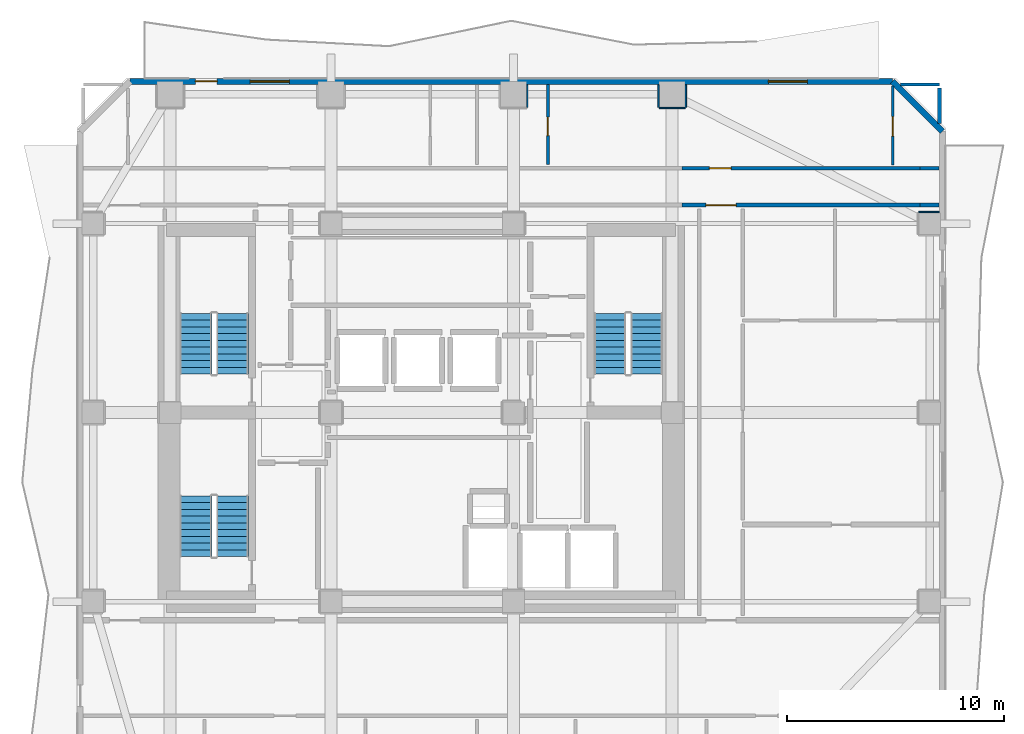
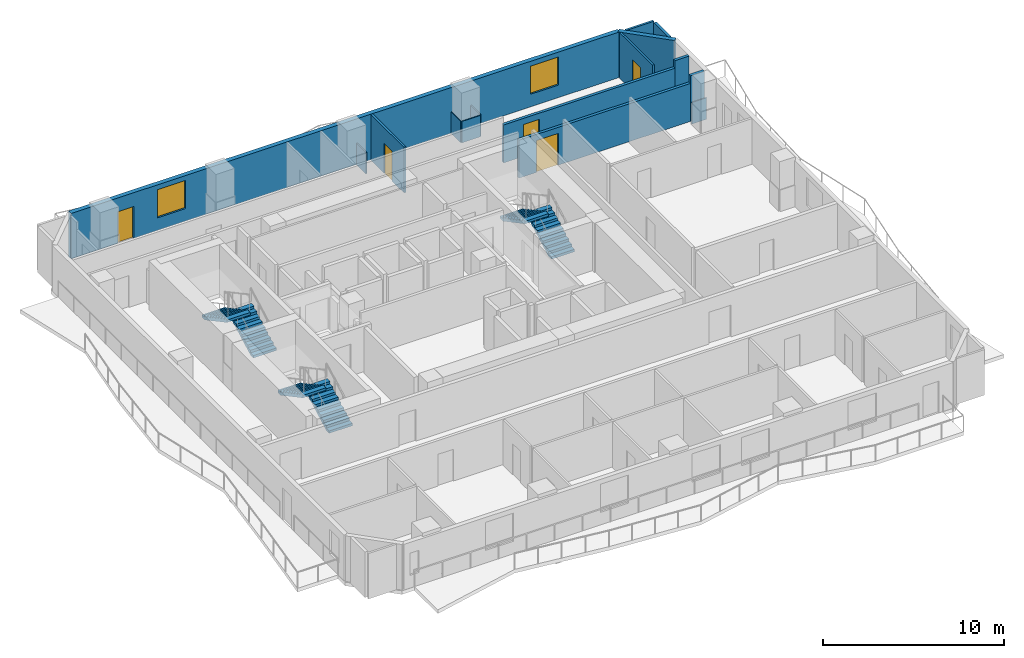
# One storey, part 6 of 9: 15 walls, 6 stair flights, 5 doors, 2 windows, 7 openings, 3 elements without a shape of their own.
"""IFC4 building model written with IfcOpenShell, lengths in metres."""

from ifc_helpers import new_model, si_unit, direction, frame, frame_2d, origin, place, context, subcontext, project, spatial, polyline, rectangle, outline, extrude, material, layer, layer_set, type_object, element, fill, aggregate, save


model = new_model("IFC4")

# Units and contexts
model_context = context("Model", 3, precision=1e-05, world=origin(), true_north=direction((0.0, 1.0)))
body_context = subcontext(model_context, "Body", "Model", "MODEL_VIEW")
ifc_project = project(units=[si_unit("LENGTHUNIT", "METRE"), si_unit("AREAUNIT", "SQUARE_METRE"), si_unit("VOLUMEUNIT", "CUBIC_METRE"), si_unit("PLANEANGLEUNIT", "RADIAN"), si_unit("MASSUNIT", "GRAM", prefix="KILO")], contexts=[model_context])

# Site, building, storey
site_placement = place(None, origin())
site = spatial("IfcSite", under=ifc_project, at=site_placement, CompositionType="ELEMENT")
building_placement = place(site_placement, origin())
building = spatial("IfcBuilding", under=site, at=building_placement, Name="Solanera Arch Residences", CompositionType="ELEMENT")
storey_placement = place(building_placement, frame((0.0, 0.0, 129.320068359375)))
storey = spatial("IfcBuildingStorey", under=building, at=storey_placement, Name="L37", CompositionType="ELEMENT", Elevation=129.320068359375)

# Walls
ifc_material_1 = material(Name="Fire-Rated Gypsum Stud Partition", Category="gypsum")
ifc_layer_1 = layer(ifc_material_1, 0.06005859375)
ifc_layer_set_1 = layer_set([ifc_layer_1], Name="Fire-Rated Gypsum Stud Partition")
wall_type_1 = type_object("IfcWallType", Name="Column Acoustic Furring Wall 60", PredefinedType="PARTITIONING", material=ifc_layer_set_1)
wall_1_placement = place(storey_placement, frame((29.83203125, 44.75, 0.0), z_axis=(0.0, 0.0, 1.0), x_axis=(0.0, 1.0, 0.0)))
element("IfcWall", 1, at=wall_1_placement, inside=storey, type_object=wall_type_1, Name="L37 Column Furring 14E", PredefinedType="PARTITIONING", context=body_context, shape_type="SweptSolid", body=[
    extrude(rectangle(XDim=1.0400390625, YDim=0.06005859375, at=frame_2d((0.52001953125, 0.0))), origin(), (0.0, 0.0, 1.0), 1.449951171875),
])
wall_2_placement = place(storey_placement, frame((35.89990234375, 44.718017578125, 0.0), z_axis=(0.0, 0.0, 1.0), x_axis=(1.0, 0.0, 0.0)))
element("IfcWall", 2, at=wall_2_placement, inside=storey, type_object=wall_type_1, Name="L37 Column Furring 16S", PredefinedType="PARTITIONING", context=body_context, shape_type="SweptSolid", body=[
    extrude(rectangle(XDim=1.2001953125, YDim=0.06005859375, at=frame_2d((0.60009765625, 0.0))), origin(), (0.0, 0.0, 1.0), 1.449951171875),
])
for number, where, z_axis, x_axis, name in (
    (3, (35.867919921875, 44.75, 0.0), (0.0, 0.0, 1.0), (0.0, 1.0, 0.0), "L37 Column Furring 16W"),
    (4, (37.132080078125, 44.75, 0.0), (0.0, 0.0, 1.0), (0.0, 1.0, 0.0), "L37 Column Furring 16E"),
):
    element("IfcWall", number, at=place(storey_placement, frame(where, z_axis=z_axis, x_axis=x_axis)), inside=storey, type_object=wall_type_1, Name=name, PredefinedType="PARTITIONING", context=body_context, shape_type="SweptSolid", body=[
        extrude(rectangle(XDim=1.0400390625, YDim=0.06005859375, at=frame_2d((0.52001953125, 0.0))), origin(), (0.0, 0.0, 1.0), 1.449951171875),
    ])
wall_3_placement = place(storey_placement, frame((47.85009765625, 39.931884765625, 0.0), z_axis=(0.0, 0.0, 1.0), x_axis=(1.0, 0.0, 0.0)))
element("IfcWall", 5, at=wall_3_placement, inside=storey, type_object=wall_type_1, Name="L37 Column Furring 22N", PredefinedType="PARTITIONING", context=body_context, shape_type="SweptSolid", body=[
    extrude(rectangle(XDim=0.93994140625, YDim=0.06005859375, at=frame_2d((0.469970703125, 0.0))), origin(), (0.0, 0.0, 1.0), 1.449951171875),
])

# Wall, opening, door
ifc_material_2 = material(Name="Autoclaved Aerated Concrete Blockwork", Category="masonry")
ifc_layer_2 = layer(ifc_material_2, 0.179931640625)
ifc_layer_set_2 = layer_set([ifc_layer_2], Name="Autoclaved Aerated Concrete Blockwork")
wall_type_2 = type_object("IfcWallType", Name="Corridor Fire Partition 180", PredefinedType="PARTITIONING", material=ifc_layer_set_2)
wall_4_placement = place(storey_placement, frame((36.943115234375, 40.25, 0.0), z_axis=(0.0, 0.0, 1.0), x_axis=(1.0, 0.0, 0.0)))
wall_4 = element("IfcWall", 6, at=wall_4_placement, inside=storey, type_object=wall_type_2, Name="L37 Interior Partition H12 2", PredefinedType="PARTITIONING", context=body_context, shape_type="SweptSolid", body=[
    extrude(rectangle(XDim=10.9638671875, YDim=0.179931640625, at=frame_2d((5.48193359375, 0.0))), origin(), (0.0, 0.0, 1.0), 2.56494140625),
])
opening_1_placement = place(wall_4_placement, frame((1.10693359375, 0.0, 0.0)))
opening_1 = element("IfcOpeningElement", 7, at=opening_1_placement, cuts=wall_4, Name="Opening DF-03", PredefinedType="OPENING", context=body_context, shape_type="SweptSolid", body=[
    extrude(rectangle(XDim=1.39990234375, YDim=2.14990234375, at=frame_2d((0.699951171875, 1.074951171875))), frame((0.0, 0.10009765625, 0.0), z_axis=(0.0, -1.0, 0.0), x_axis=(1.0, 0.0, 0.0)), (0.0, 0.0, 1.0), 0.1999),
])
ifc_material_3 = material(Name="Fire-Rated Architectural Hardwood", Category="wood")
door_type_1 = type_object("IfcDoorType", Name="Corridor Smoke Door DF-03", OperationType="NOTDEFINED", PredefinedType="DOOR", material=ifc_material_3)
door_1_placement = place(opening_1_placement, origin())
door_1 = element("IfcDoor", 8, at=door_1_placement, inside=storey, type_object=door_type_1, Name="DR-L37-IN-013", OperationType="SINGLE_SWING_RIGHT", OverallHeight=2.14990234375, OverallWidth=1.39990234375, PredefinedType="DOOR", context=body_context, shape_type="SweptSolid", body=[
    extrude(rectangle(XDim=1.39990234375, YDim=2.14990234375, at=frame_2d((0.699951171875, 1.074951171875))), frame((0.0, 0.02490234375, 0.0), z_axis=(0.0, -1.0, 0.0), x_axis=(1.0, 0.0, 0.0)), (0.0, 0.0, 1.0), 0.050048828125),
])
fill(opening_1, door_1)

# Wall
wall_5_placement = place(storey_placement, frame((47.906982421875, 40.25, 0.0), z_axis=(0.0, 0.0, 1.0), x_axis=(1.0, 0.0, 0.0)))
element("IfcWall", 9, at=wall_5_placement, inside=storey, type_object=wall_type_2, Name="L37 Interior Partition H12 3", PredefinedType="PARTITIONING", context=body_context, shape_type="SweptSolid", body=[
    extrude(rectangle(XDim=0.885986328125, YDim=0.179931640625, at=frame_2d((0.44287109375, 0.0))), origin(), (0.0, 0.0, 1.0), 3.079833984375),
])

# Wall, opening, door
wall_6_placement = place(storey_placement, frame((36.943115234375, 41.949951171875, 0.0), z_axis=(0.0, 0.0, 1.0), x_axis=(1.0, 0.0, 0.0)))
wall_6 = element("IfcWall", 10, at=wall_6_placement, inside=storey, type_object=wall_type_2, Name="L37 Interior Partition H13 2", PredefinedType="PARTITIONING", context=body_context, shape_type="SweptSolid", body=[
    extrude(rectangle(XDim=10.9638671875, YDim=0.179931640625, at=frame_2d((5.48193359375, 0.0))), origin(), (0.0, 0.0, 1.0), 2.56494140625),
])
opening_2_placement = place(wall_6_placement, frame((1.27197265625, 0.0, 0.0)))
opening_2 = element("IfcOpeningElement", 11, at=opening_2_placement, cuts=wall_6, Name="Opening DI-01", PredefinedType="OPENING", context=body_context, shape_type="SweptSolid", body=[
    extrude(rectangle(XDim=1.0, YDim=2.14990234375, at=frame_2d((0.5, 1.074951171875))), frame((0.0, 0.10009765625, 0.0), z_axis=(0.0, -1.0, 0.0), x_axis=(1.0, 0.0, 0.0)), (0.0, 0.0, 1.0), 0.1999),
])
ifc_material_4 = material(Name="Fire-Rated Architectural Hardwood", Category="wood")
door_type_2 = type_object("IfcDoorType", Name="Unit Entrance Fire Door DI-01", OperationType="NOTDEFINED", PredefinedType="DOOR", material=ifc_material_4)
door_2_placement = place(opening_2_placement, origin())
door_2 = element("IfcDoor", 12, at=door_2_placement, inside=storey, type_object=door_type_2, Name="DR-L37-IN-032", OperationType="SINGLE_SWING_LEFT", OverallHeight=2.14990234375, OverallWidth=1.0, PredefinedType="DOOR", context=body_context, shape_type="SweptSolid", body=[
    extrude(rectangle(XDim=1.0, YDim=2.14990234375, at=frame_2d((0.5, 1.074951171875))), frame((0.0, 0.02490234375, 0.0), z_axis=(0.0, -1.0, 0.0), x_axis=(1.0, 0.0, 0.0)), (0.0, 0.0, 1.0), 0.050048828125),
])
fill(opening_2, door_2)

# Walls
wall_7_placement = place(storey_placement, frame((47.906982421875, 41.949951171875, 0.0), z_axis=(0.0, 0.0, 1.0), x_axis=(1.0, 0.0, 0.0)))
element("IfcWall", 13, at=wall_7_placement, inside=storey, type_object=wall_type_2, Name="L37 Interior Partition H13 3", PredefinedType="PARTITIONING", context=body_context, shape_type="SweptSolid", body=[
    extrude(rectangle(XDim=0.885986328125, YDim=0.179931640625, at=frame_2d((0.44287109375, 0.0))), origin(), (0.0, 0.0, 1.0), 3.079833984375),
])
wall_8_placement = place(storey_placement, frame((48.800048828125, 44.0048828125, 0.0), z_axis=(0.0, 0.0, 1.0), x_axis=(0.0, 1.0, 0.0)))
element("IfcWall", 14, at=wall_8_placement, inside=storey, type_object=wall_type_2, Name="L37 Interior Partition V12 2", PredefinedType="PARTITIONING", context=body_context, shape_type="SweptSolid", body=[
    extrude(rectangle(XDim=1.627197265625, YDim=0.179931640625, at=frame_2d((0.8134765625, 0.0))), origin(), (0.0, 0.0, 1.0), 3.079833984375),
])

# Wall, openings, door, windows
ifc_material_5 = material(Name="Precast Concrete C35/45", Category="concrete")
ifc_layer_3 = layer(ifc_material_5, 0.280029296875)
ifc_layer_set_3 = layer_set([ifc_layer_3], Name="Precast Concrete C35/45")
wall_type_3 = type_object("IfcWallType", Name="Exterior Wall Precast Masonry-Frame 280", PredefinedType="STANDARD", material=ifc_layer_set_3)
wall_9_placement = place(storey_placement, frame((11.554931640625, 45.945068359375, 0.0), z_axis=(0.0, 0.0, 1.0), x_axis=(1.0, 0.0, 0.0)))
wall_9 = element("IfcWall", 15, at=wall_9_placement, inside=storey, type_object=wall_type_3, Name="L37 Tower Exterior Precast Masonry-Frame Wall N", PredefinedType="STANDARD", context=body_context, shape_type="SweptSolid", body=[
    extrude(rectangle(XDim=35.090087890625, YDim=0.280029296875, at=frame_2d((17.544921875, 0.0))), origin(), (0.0, 0.0, 1.0), 3.079833984375),
])
opening_3_placement = place(wall_9_placement, frame((3.009033203125, 0.0, 0.0)))
opening_3 = element("IfcOpeningElement", 16, at=opening_3_placement, cuts=wall_9, Name="Opening DB-01", PredefinedType="OPENING", context=body_context, shape_type="SweptSolid", body=[
    extrude(rectangle(XDim=1.0, YDim=2.14990234375, at=frame_2d((0.5, 1.074951171875))), frame((0.0, 0.14990234375, 0.0), z_axis=(0.0, -1.0, 0.0), x_axis=(1.0, 0.0, 0.0)), (0.0, 0.0, 1.0), 0.3),
])
opening_4_placement = place(wall_9_placement, frame((5.527099609375, 0.0, 0.85009765625)))
opening_4 = element("IfcOpeningElement", 17, at=opening_4_placement, cuts=wall_9, Name="Opening W-03", PredefinedType="OPENING", context=body_context, shape_type="SweptSolid", body=[
    extrude(rectangle(XDim=1.800048828125, YDim=1.89990234375, at=frame_2d((0.89990234375, 0.949951171875))), frame((0.0, 0.14990234375, 0.0), z_axis=(0.0, -1.0, 0.0), x_axis=(1.0, 0.0, 0.0)), (0.0, 0.0, 1.0), 0.3),
])
opening_5_placement = place(wall_9_placement, frame((29.373046875, 0.0, 0.85009765625)))
opening_5 = element("IfcOpeningElement", 18, at=opening_5_placement, cuts=wall_9, Name="Opening W-03", PredefinedType="OPENING", context=body_context, shape_type="SweptSolid", body=[
    extrude(rectangle(XDim=1.800048828125, YDim=1.89990234375, at=frame_2d((0.89990234375, 0.949951171875))), frame((0.0, 0.14990234375, 0.0), z_axis=(0.0, -1.0, 0.0), x_axis=(1.0, 0.0, 0.0)), (0.0, 0.0, 1.0), 0.3),
])
ifc_material_6 = material(Name="Anodised Aluminium Alloy 6063-T6", Category="aluminium")
door_type_3 = type_object("IfcDoorType", Name="Glazed Balcony Swing Door DB-01", OperationType="NOTDEFINED", PredefinedType="DOOR", material=ifc_material_6)
door_3_placement = place(opening_3_placement, origin())
door_3 = element("IfcDoor", 19, at=door_3_placement, inside=storey, type_object=door_type_3, Name="DR-L37-OUT-02", OperationType="SINGLE_SWING_RIGHT", OverallHeight=2.14990234375, OverallWidth=1.0, PredefinedType="DOOR", context=body_context, shape_type="SweptSolid", body=[
    extrude(rectangle(XDim=1.0, YDim=2.14990234375, at=frame_2d((0.5, 1.074951171875))), frame((0.0, 0.02490234375, 0.0), z_axis=(0.0, -1.0, 0.0), x_axis=(1.0, 0.0, 0.0)), (0.0, 0.0, 1.0), 0.050048828125),
])
fill(opening_3, door_3)
ifc_material_7 = material(Name="Double Glazed Low-E Laminated Glass", Category="glass")
window_type = type_object("IfcWindowType", Name="Punched Window W-03", PartitioningType="DOUBLE_PANEL_VERTICAL", PredefinedType="WINDOW", material=ifc_material_7)
window_1_placement = place(opening_4_placement, origin())
window_1 = element("IfcWindow", 20, at=window_1_placement, inside=storey, type_object=window_type, Name="L37 3703-LIV Punched Window", OverallHeight=1.89990234375, OverallWidth=1.800048828125, PartitioningType="SINGLE_PANEL", PredefinedType="WINDOW", context=body_context, shape_type="SweptSolid", body=[
    extrude(rectangle(XDim=1.800048828125, YDim=1.89990234375, at=frame_2d((0.89990234375, 0.949951171875))), frame((0.0, 0.030029296875, 0.0), z_axis=(0.0, -1.0, 0.0), x_axis=(1.0, 0.0, 0.0)), (0.0, 0.0, 1.0), 0.06005859375),
])
fill(opening_4, window_1)
window_2_placement = place(opening_5_placement, origin())
window_2 = element("IfcWindow", 21, at=window_2_placement, inside=storey, type_object=window_type, Name="L37 3704-LIV Punched Window", OverallHeight=1.89990234375, OverallWidth=1.800048828125, PartitioningType="SINGLE_PANEL", PredefinedType="WINDOW", context=body_context, shape_type="SweptSolid", body=[
    extrude(rectangle(XDim=1.800048828125, YDim=1.89990234375, at=frame_2d((0.89990234375, 0.949951171875))), frame((0.0, 0.030029296875, 0.0), z_axis=(0.0, -1.0, 0.0), x_axis=(1.0, 0.0, 0.0)), (0.0, 0.0, 1.0), 0.06005859375),
])
fill(opening_5, window_2)

# Wall
wall_10_placement = place(storey_placement, frame((46.64501953125, 45.945068359375, 0.0), z_axis=(0.0, 0.0, 1.0), x_axis=(0.707106781187, -0.707106781187, 0.0)))
element("IfcWall", 22, at=wall_10_placement, inside=storey, type_object=wall_type_3, Name="L37 Tower Exterior Precast Masonry-Frame Wall CH3", PredefinedType="STANDARD", context=body_context, shape_type="SweptSolid", body=[
    extrude(rectangle(XDim=3.252685546875, YDim=0.280029296875, at=frame_2d((1.62646484375, 0.0))), origin(), (0.0, 0.0, 1.0), 3.079833984375),
])

# Wall, opening, door
ifc_material_8 = material(Name="Fire-Rated Gypsum Stud Partition", Category="gypsum")
ifc_layer_4 = layer(ifc_material_8, 0.1201171875)
ifc_layer_set_4 = layer_set([ifc_layer_4], Name="Fire-Rated Gypsum Stud Partition")
wall_type_4 = type_object("IfcWallType", Name="Unit Drywall Partition 120", PredefinedType="PARTITIONING", material=ifc_layer_set_4)
wall_11_placement = place(storey_placement, frame((46.64990234375, 42.10791015625, 0.0), z_axis=(0.0, 0.0, 1.0), x_axis=(0.0, 1.0, 0.0)))
wall_11 = element("IfcWall", 23, at=wall_11_placement, inside=storey, type_object=wall_type_4, Name="L37 Interior Partition V24", PredefinedType="PARTITIONING", context=body_context, shape_type="SweptSolid", body=[
    extrude(rectangle(XDim=3.6171875, YDim=0.1201171875, at=frame_2d((1.80859375, 0.0))), origin(), (0.0, 0.0, 1.0), 3.079833984375),
])
opening_6_placement = place(wall_11_placement, frame((1.31689453125, 0.0, 0.0)))
opening_6 = element("IfcOpeningElement", 24, at=opening_6_placement, cuts=wall_11, Name="Opening DI-02", PredefinedType="OPENING", context=body_context, shape_type="SweptSolid", body=[
    extrude(rectangle(XDim=0.89990234375, YDim=2.10009765625, at=frame_2d((0.449951171875, 1.050048828125))), frame((0.0, 0.070068359375, 0.0), z_axis=(0.0, -1.0, 0.0), x_axis=(1.0, 0.0, 0.0)), (0.0, 0.0, 1.0), 0.1401),
])
ifc_material_9 = material(Name="Fire-Rated Architectural Hardwood", Category="wood")
door_type_4 = type_object("IfcDoorType", Name="Suite Room Swing Door DI-02", OperationType="NOTDEFINED", PredefinedType="DOOR", material=ifc_material_9)
door_4_placement = place(opening_6_placement, origin())
door_4 = element("IfcDoor", 25, at=door_4_placement, inside=storey, type_object=door_type_4, Name="DR-L37-IN-034", OperationType="SINGLE_SWING_LEFT", OverallHeight=2.10009765625, OverallWidth=0.89990234375, PredefinedType="DOOR", context=body_context, shape_type="SweptSolid", body=[
    extrude(rectangle(XDim=0.89990234375, YDim=2.10009765625, at=frame_2d((0.449951171875, 1.050048828125))), frame((0.0, 0.02490234375, 0.0), z_axis=(0.0, -1.0, 0.0), x_axis=(1.0, 0.0, 0.0)), (0.0, 0.0, 1.0), 0.050048828125),
])
fill(opening_6, door_4)

# Wall
ifc_material_10 = material(Name="Autoclaved Aerated Concrete Blockwork", Category="masonry")
ifc_layer_5 = layer(ifc_material_10, 0.139892578125)
ifc_layer_set_5 = layer_set([ifc_layer_5], Name="Autoclaved Aerated Concrete Blockwork")
wall_type_5 = type_object("IfcWallType", Name="Wet-Room Partition 140", PredefinedType="PARTITIONING", material=ifc_layer_set_5)
wall_12_placement = place(storey_placement, frame((47.0048828125, 45.800048828125, 0.0), z_axis=(0.0, 0.0, 1.0), x_axis=(1.0, 0.0, 0.0)))
element("IfcWall", 26, at=wall_12_placement, inside=storey, type_object=wall_type_5, Name="L37 Interior Partition H18 2", PredefinedType="PARTITIONING", context=body_context, shape_type="SweptSolid", body=[
    extrude(rectangle(XDim=1.795166015625, YDim=0.139892578125, at=frame_2d((0.8974609375, 0.0))), origin(), (0.0, 0.0, 1.0), 3.079833984375),
])

# Wall, opening, door
wall_13_placement = place(storey_placement, frame((30.780029296875, 42.117919921875, 0.0), z_axis=(0.0, 0.0, 1.0), x_axis=(0.0, 1.0, 0.0)))
wall_13 = element("IfcWall", 27, at=wall_13_placement, inside=storey, type_object=wall_type_5, Name="L37 Interior Partition V17", PredefinedType="PARTITIONING", context=body_context, shape_type="SweptSolid", body=[
    extrude(rectangle(XDim=3.675048828125, YDim=0.139892578125, at=frame_2d((1.83740234375, 0.0))), origin(), (0.0, 0.0, 1.0), 3.079833984375),
])
opening_7_placement = place(wall_13_placement, frame((1.326904296875, 0.0, 0.0)))
opening_7 = element("IfcOpeningElement", 28, at=opening_7_placement, cuts=wall_13, Name="Opening DI-05", PredefinedType="OPENING", context=body_context, shape_type="SweptSolid", body=[
    extrude(rectangle(XDim=0.860107421875, YDim=2.02001953125, at=frame_2d((0.43017578125, 1.010009765625))), frame((0.0, 0.079833984375, 0.0), z_axis=(0.0, -1.0, 0.0), x_axis=(1.0, 0.0, 0.0)), (0.0, 0.0, 1.0), 0.1599),
])
ifc_material_11 = material(Name="Fire-Rated Architectural Hardwood", Category="wood")
door_type_5 = type_object("IfcDoorType", Name="Bathroom Swing Door DI-05", OperationType="NOTDEFINED", PredefinedType="DOOR", material=ifc_material_11)
door_5_placement = place(opening_7_placement, origin())
door_5 = element("IfcDoor", 29, at=door_5_placement, inside=storey, type_object=door_type_5, Name="DR-L37-IN-033", OperationType="SINGLE_SWING_RIGHT", OverallHeight=2.02001953125, OverallWidth=0.860107421875, PredefinedType="DOOR", context=body_context, shape_type="SweptSolid", body=[
    extrude(rectangle(XDim=0.860107421875, YDim=2.02001953125, at=frame_2d((0.43017578125, 1.010009765625))), frame((0.0, 0.02490234375, 0.0), z_axis=(0.0, -1.0, 0.0), x_axis=(1.0, 0.0, 0.0)), (0.0, 0.0, 1.0), 0.050048828125),
])
fill(opening_7, door_5)

# Stair, stair flights
ifc_material_12 = material(Name="Concrete C40/50 (f'c = 45 MPa)", Category="concrete")
stair_type = type_object("IfcStairType", Name="Tower Dogleg Exit Stair 1480", PredefinedType="HALF_TURN_STAIR", material=ifc_material_12)
stair_1_placement = place(storey_placement, origin())
stair_1 = element("IfcStair", 30, at=stair_1_placement, inside=storey, type_object=stair_type, Name="L37 Tower Core Exit Stair 1", PredefinedType="HALF_TURN_STAIR")
ifc_material_13 = material(Name="Concrete C40/50 (f'c = 45 MPa)", Category="concrete")
stair_flight_type = type_object("IfcStairFlightType", Name="Tower Precast Stair Flight 1480", PredefinedType="STRAIGHT", material=ifc_material_13)
stair_flight_1_placement = place(storey_placement, frame((16.260009765625, 32.47998046875, 0.0), z_axis=(0.0, 0.0, 1.0), x_axis=(0.0, 1.0, 0.0)))
stair_flight_1 = element("IfcStairFlight", 31, at=stair_flight_1_placement, type_object=stair_flight_type, Name="ST-T1 flight 1", NumberOfRisers=10, NumberOfTreads=9, PredefinedType="STRAIGHT", RiserHeight=0.166, TreadLength=0.31, context=body_context, shape_type="SweptSolid", body=[
    extrude(outline(polyline([(0.0, 0.0), (0.0, 0.166015625), (0.31005859375, 0.166015625), (0.31005859375, 0.33203125), (0.6201171875, 0.33203125), (0.6201171875, 0.498046875), (0.929931640625, 0.498046875), (0.929931640625, 0.6640625), (1.239990234375, 0.6640625), (1.239990234375, 0.830078125), (1.550048828125, 0.830078125), (1.550048828125, 0.99609375), (1.860107421875, 0.99609375), (1.860107421875, 1.162109375), (2.169921875, 1.162109375), (2.169921875, 1.327880859375), (2.47998046875, 1.327880859375), (2.47998046875, 1.493896484375), (2.7900390625, 1.493896484375), (2.7900390625, 1.659912109375), (2.7900390625, 1.323974609375), (0.317626953125, 0.0), (0.0, 0.0)])), frame((0.0, 0.739990234375, 0.0), z_axis=(0.0, -1.0, 0.0), x_axis=(1.0, 0.0, 0.0)), (0.0, 0.0, 1.0), 1.47998046875),
])
stair_flight_2_placement = place(storey_placement, frame((14.580078125, 35.27001953125, 1.659912109375), z_axis=(0.0, 0.0, 1.0), x_axis=(0.0, -1.0, 0.0)))
stair_flight_2 = element("IfcStairFlight", 32, at=stair_flight_2_placement, type_object=stair_flight_type, Name="ST-T1 flight 2", NumberOfRisers=10, NumberOfTreads=9, PredefinedType="STRAIGHT", RiserHeight=0.166, TreadLength=0.31, context=body_context, shape_type="SweptSolid", body=[
    extrude(outline(polyline([(0.0, 0.0), (0.0, 0.166015625), (0.31005859375, 0.166015625), (0.31005859375, 0.33203125), (0.6201171875, 0.33203125), (0.6201171875, 0.498046875), (0.929931640625, 0.498046875), (0.929931640625, 0.6640625), (1.239990234375, 0.6640625), (1.239990234375, 0.830078125), (1.550048828125, 0.830078125), (1.550048828125, 0.99609375), (1.860107421875, 0.99609375), (1.860107421875, 1.162109375), (2.169921875, 1.162109375), (2.169921875, 1.327880859375), (2.47998046875, 1.327880859375), (2.47998046875, 1.493896484375), (2.7900390625, 1.493896484375), (2.7900390625, 1.659912109375), (2.7900390625, 1.323974609375), (0.317626953125, 0.0), (0.0, 0.0)])), frame((0.0, 0.739990234375, 0.0), z_axis=(0.0, -1.0, 0.0), x_axis=(1.0, 0.0, 0.0)), (0.0, 0.0, 1.0), 1.47998046875),
])
aggregate(stair_1, [stair_flight_1, stair_flight_2])

stair_2_placement = place(storey_placement, origin())
stair_2 = element("IfcStair", 33, at=stair_2_placement, inside=storey, type_object=stair_type, Name="L37 Tower Core Exit Stair 2", PredefinedType="HALF_TURN_STAIR")
stair_flight_3_placement = place(storey_placement, frame((35.320068359375, 32.47998046875, 0.0), z_axis=(0.0, 0.0, 1.0), x_axis=(0.0, 1.0, 0.0)))
stair_flight_3 = element("IfcStairFlight", 34, at=stair_flight_3_placement, type_object=stair_flight_type, Name="ST-T2 flight 1", NumberOfRisers=10, NumberOfTreads=9, PredefinedType="STRAIGHT", RiserHeight=0.166, TreadLength=0.31, context=body_context, shape_type="SweptSolid", body=[
    extrude(outline(polyline([(0.0, 0.0), (0.0, 0.166015625), (0.31005859375, 0.166015625), (0.31005859375, 0.33203125), (0.6201171875, 0.33203125), (0.6201171875, 0.498046875), (0.929931640625, 0.498046875), (0.929931640625, 0.6640625), (1.239990234375, 0.6640625), (1.239990234375, 0.830078125), (1.550048828125, 0.830078125), (1.550048828125, 0.99609375), (1.860107421875, 0.99609375), (1.860107421875, 1.162109375), (2.169921875, 1.162109375), (2.169921875, 1.327880859375), (2.47998046875, 1.327880859375), (2.47998046875, 1.493896484375), (2.7900390625, 1.493896484375), (2.7900390625, 1.659912109375), (2.7900390625, 1.323974609375), (0.317626953125, 0.0), (0.0, 0.0)])), frame((0.0, 0.739990234375, 0.0), z_axis=(0.0, -1.0, 0.0), x_axis=(1.0, 0.0, 0.0)), (0.0, 0.0, 1.0), 1.47998046875),
])
stair_flight_4_placement = place(storey_placement, frame((33.639892578125, 35.27001953125, 1.659912109375), z_axis=(0.0, 0.0, 1.0), x_axis=(0.0, -1.0, 0.0)))
stair_flight_4 = element("IfcStairFlight", 35, at=stair_flight_4_placement, type_object=stair_flight_type, Name="ST-T2 flight 2", NumberOfRisers=10, NumberOfTreads=9, PredefinedType="STRAIGHT", RiserHeight=0.166, TreadLength=0.31, context=body_context, shape_type="SweptSolid", body=[
    extrude(outline(polyline([(0.0, 0.0), (0.0, 0.166015625), (0.31005859375, 0.166015625), (0.31005859375, 0.33203125), (0.6201171875, 0.33203125), (0.6201171875, 0.498046875), (0.929931640625, 0.498046875), (0.929931640625, 0.6640625), (1.239990234375, 0.6640625), (1.239990234375, 0.830078125), (1.550048828125, 0.830078125), (1.550048828125, 0.99609375), (1.860107421875, 0.99609375), (1.860107421875, 1.162109375), (2.169921875, 1.162109375), (2.169921875, 1.327880859375), (2.47998046875, 1.327880859375), (2.47998046875, 1.493896484375), (2.7900390625, 1.493896484375), (2.7900390625, 1.659912109375), (2.7900390625, 1.323974609375), (0.317626953125, 0.0), (0.0, 0.0)])), frame((0.0, 0.739990234375, 0.0), z_axis=(0.0, -1.0, 0.0), x_axis=(1.0, 0.0, 0.0)), (0.0, 0.0, 1.0), 1.47998046875),
])
aggregate(stair_2, [stair_flight_3, stair_flight_4])

stair_3_placement = place(storey_placement, origin())
stair_3 = element("IfcStair", 36, at=stair_3_placement, inside=storey, type_object=stair_type, Name="L37 Tower Core Exit Stair 3", PredefinedType="HALF_TURN_STAIR")
stair_flight_5_placement = place(storey_placement, frame((16.260009765625, 24.080078125, 0.0), z_axis=(0.0, 0.0, 1.0), x_axis=(0.0, 1.0, 0.0)))
stair_flight_5 = element("IfcStairFlight", 37, at=stair_flight_5_placement, type_object=stair_flight_type, Name="ST-T3 flight 1", NumberOfRisers=10, NumberOfTreads=9, PredefinedType="STRAIGHT", RiserHeight=0.166, TreadLength=0.31, context=body_context, shape_type="SweptSolid", body=[
    extrude(outline(polyline([(0.0, 0.0), (0.0, 0.166015625), (0.31005859375, 0.166015625), (0.31005859375, 0.33203125), (0.6201171875, 0.33203125), (0.6201171875, 0.498046875), (0.929931640625, 0.498046875), (0.929931640625, 0.6640625), (1.239990234375, 0.6640625), (1.239990234375, 0.830078125), (1.550048828125, 0.830078125), (1.550048828125, 0.99609375), (1.860107421875, 0.99609375), (1.860107421875, 1.162109375), (2.169921875, 1.162109375), (2.169921875, 1.327880859375), (2.47998046875, 1.327880859375), (2.47998046875, 1.493896484375), (2.7900390625, 1.493896484375), (2.7900390625, 1.659912109375), (2.7900390625, 1.323974609375), (0.317626953125, 0.0), (0.0, 0.0)])), frame((0.0, 0.739990234375, 0.0), z_axis=(0.0, -1.0, 0.0), x_axis=(1.0, 0.0, 0.0)), (0.0, 0.0, 1.0), 1.47998046875),
])
stair_flight_6_placement = place(storey_placement, frame((14.580078125, 26.8701171875, 1.659912109375), z_axis=(0.0, 0.0, 1.0), x_axis=(0.0, -1.0, 0.0)))
stair_flight_6 = element("IfcStairFlight", 38, at=stair_flight_6_placement, type_object=stair_flight_type, Name="ST-T3 flight 2", NumberOfRisers=10, NumberOfTreads=9, PredefinedType="STRAIGHT", RiserHeight=0.166, TreadLength=0.31, context=body_context, shape_type="SweptSolid", body=[
    extrude(outline(polyline([(0.0, 0.0), (0.0, 0.166015625), (0.31005859375, 0.166015625), (0.31005859375, 0.33203125), (0.6201171875, 0.33203125), (0.6201171875, 0.498046875), (0.929931640625, 0.498046875), (0.929931640625, 0.6640625), (1.239990234375, 0.6640625), (1.239990234375, 0.830078125), (1.550048828125, 0.830078125), (1.550048828125, 0.99609375), (1.860107421875, 0.99609375), (1.860107421875, 1.162109375), (2.169921875, 1.162109375), (2.169921875, 1.327880859375), (2.47998046875, 1.327880859375), (2.47998046875, 1.493896484375), (2.7900390625, 1.493896484375), (2.7900390625, 1.659912109375), (2.7900390625, 1.323974609375), (0.317626953125, 0.0), (0.0, 0.0)])), frame((0.0, 0.739990234375, 0.0), z_axis=(0.0, -1.0, 0.0), x_axis=(1.0, 0.0, 0.0)), (0.0, 0.0, 1.0), 1.47998046875),
])
aggregate(stair_3, [stair_flight_5, stair_flight_6])

save(model, "model.ifc")
